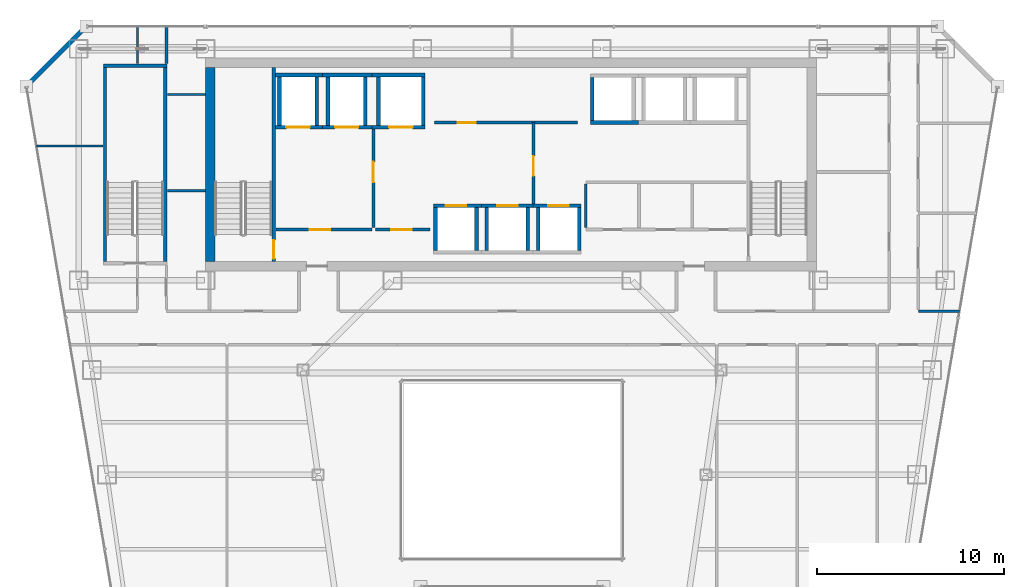
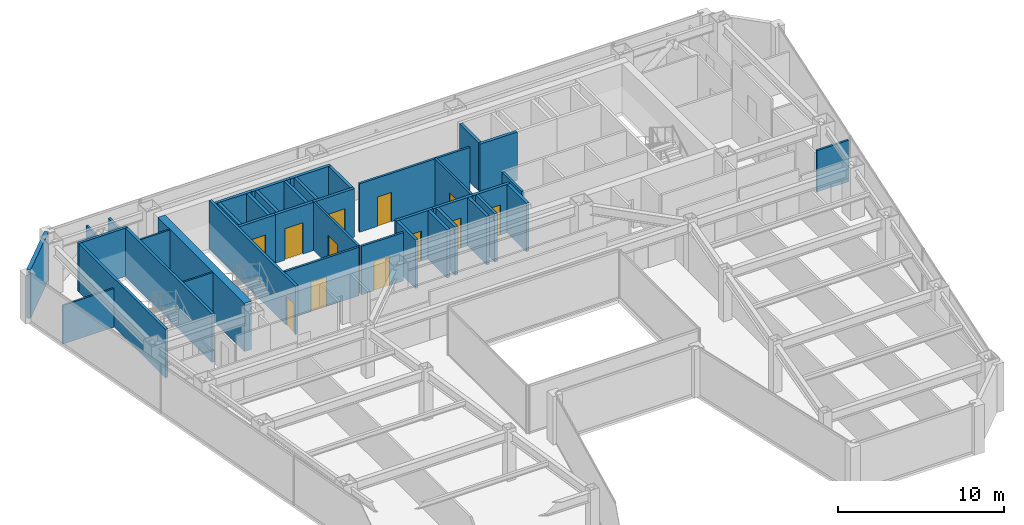
# One storey, part 31 of 36: 41 walls, 12 doors, 12 openings.
"""IFC4 building model written with IfcOpenShell, lengths in metres."""

from ifc_helpers import new_model, si_unit, direction, frame, frame_2d, origin, place, context, subcontext, project, spatial, rectangle, extrude, material, layer, layer_set, type_object, element, fill, save


model = new_model("IFC4")

# Units and contexts
model_context = context("Model", 3, precision=1e-05, world=origin(), true_north=direction((0.0, 1.0)))
body_context = subcontext(model_context, "Body", "Model", "MODEL_VIEW")
ifc_project = project(units=[si_unit("LENGTHUNIT", "METRE"), si_unit("AREAUNIT", "SQUARE_METRE"), si_unit("VOLUMEUNIT", "CUBIC_METRE"), si_unit("PLANEANGLEUNIT", "RADIAN"), si_unit("MASSUNIT", "GRAM", prefix="KILO")], contexts=[model_context])

# Site, building, storey
site_placement = place(None, origin())
site = spatial("IfcSite", under=ifc_project, at=site_placement, CompositionType="ELEMENT")
building_placement = place(site_placement, origin())
building = spatial("IfcBuilding", under=site, at=building_placement, Name="Saevonmaru Cultural Tower", CompositionType="ELEMENT")
storey_placement = place(building_placement, frame((0.0, 0.0, 171.39990234375)))
storey = spatial("IfcBuildingStorey", under=building, at=storey_placement, Name="L38", CompositionType="ELEMENT", Elevation=171.39990234375)

# Wall
ifc_material_1 = material(Name="Concrete C60/75", Category="concrete")
ifc_layer_1 = layer(ifc_material_1, 0.5, Name="Concrete C60/75")
ifc_layer_set_1 = layer_set([ifc_layer_1], Name="Concrete C60/75")
wall_type_1 = type_object("IfcWallType", Name="WL-CORE-500", PredefinedType="SHEAR", material=ifc_layer_set_1)
wall_1_placement = place(storey_placement, frame((13.85009765625, 43.39990234375, 0.0), z_axis=(0.0, 0.0, 1.0), x_axis=(0.0, 1.0, 0.0)))
element("IfcWall", 1, at=wall_1_placement, inside=storey, type_object=wall_type_1, Name="L38 Tower RC core shear wall W", PredefinedType="SHEAR", context=body_context, shape_type="SweptSolid", body=[
    extrude(rectangle(XDim=10.400146484375, YDim=0.5, at=frame_2d((5.2001953125, 0.0))), origin(), (0.0, 0.0, 1.0), 3.550048828125),
])

# Wall, opening, door
ifc_material_2 = material(Name="Gypsum Fireboard Partition", Category="gypsum")
ifc_layer_2 = layer(ifc_material_2, 0.14990234375, Name="Gypsum Fireboard Partition")
ifc_layer_set_2 = layer_set([ifc_layer_2], Name="Gypsum Fireboard Partition")
wall_type_2 = type_object("IfcWallType", Name="WL-CORE-PART-150", PredefinedType="PARTITIONING", material=ifc_layer_set_2)
wall_2_placement = place(storey_placement, frame((17.360107421875, 45.1201171875, 0.0), z_axis=(0.0, 0.0, 1.0), x_axis=(1.0, 0.0, 0.0)))
wall_2 = element("IfcWall", 2, at=wall_2_placement, inside=storey, type_object=wall_type_2, Name="L38 Firefighting Lift Lobby South Wall", PredefinedType="PARTITIONING", context=body_context, shape_type="SweptSolid", body=[
    extrude(rectangle(XDim=5.139892578125, YDim=0.14990234375, at=frame_2d((2.56982421875, 0.0))), origin(), (0.0, 0.0, 1.0), 3.550048828125),
])
opening_1_placement = place(wall_2_placement, frame((1.800048828125, 0.0, 0.0)))
opening_1 = element("IfcOpeningElement", 3, at=opening_1_placement, cuts=wall_2, Name="Opening FD-2", PredefinedType="OPENING", context=body_context, shape_type="SweptSolid", body=[
    extrude(rectangle(XDim=1.10009765625, YDim=2.14990234375, at=frame_2d((0.550048828125, 1.074951171875))), frame((0.0, 0.0849609375, 0.0), z_axis=(0.0, -1.0, 0.0), x_axis=(1.0, 0.0, 0.0)), (0.0, 0.0, 1.0), 0.169921875),
])
ifc_material_3 = material(Name="Satin Bronze Anodised Aluminium", Category="aluminium")
door_type_1 = type_object("IfcDoorType", Name="DR-FD60-1100", OperationType="SINGLE_SWING_LEFT", PredefinedType="DOOR", material=ifc_material_3)
door_1_placement = place(opening_1_placement, origin())
door_1 = element("IfcDoor", 4, at=door_1_placement, inside=storey, type_object=door_type_1, Name="L38 Firefighting Lift Lobby South Door", OperationType="SINGLE_SWING_LEFT", OverallHeight=2.14990234375, OverallWidth=1.10009765625, PredefinedType="DOOR", context=body_context, shape_type="SweptSolid", body=[
    extrude(rectangle(XDim=1.10009765625, YDim=2.14990234375, at=frame_2d((0.550048828125, 1.074951171875))), frame((0.0, 0.02490234375, 0.0), z_axis=(0.0, -1.0, 0.0), x_axis=(1.0, 0.0, 0.0)), (0.0, 0.0, 1.0), 0.050048828125),
])
fill(opening_1, door_1)

wall_3_placement = place(storey_placement, frame((22.580078125, 50.550048828125, 0.0), z_axis=(0.0, 0.0, 1.0), x_axis=(0.0, -1.0, 0.0)))
wall_3 = element("IfcWall", 5, at=wall_3_placement, inside=storey, type_object=wall_type_2, Name="L38 Firefighting Lift Lobby East Wall", PredefinedType="PARTITIONING", context=body_context, shape_type="SweptSolid", body=[
    extrude(rectangle(XDim=5.330078125, YDim=0.14990234375, at=frame_2d((2.6650390625, 0.0))), origin(), (0.0, 0.0, 1.0), 3.550048828125),
])
opening_2_placement = place(wall_3_placement, frame((1.800048828125, 0.0, 0.0)))
opening_2 = element("IfcOpeningElement", 6, at=opening_2_placement, cuts=wall_3, Name="Opening FD-2", PredefinedType="OPENING", context=body_context, shape_type="SweptSolid", body=[
    extrude(rectangle(XDim=1.10009765625, YDim=2.14990234375, at=frame_2d((0.550048828125, 1.074951171875))), frame((0.0, 0.0849609375, 0.0), z_axis=(0.0, -1.0, 0.0), x_axis=(1.0, 0.0, 0.0)), (0.0, 0.0, 1.0), 0.169921875),
])
door_2_placement = place(opening_2_placement, origin())
door_2 = element("IfcDoor", 7, at=door_2_placement, inside=storey, type_object=door_type_1, Name="L38 Firefighting Lift Lobby East Door", OperationType="SINGLE_SWING_LEFT", OverallHeight=2.14990234375, OverallWidth=1.10009765625, PredefinedType="DOOR", context=body_context, shape_type="SweptSolid", body=[
    extrude(rectangle(XDim=1.10009765625, YDim=2.14990234375, at=frame_2d((0.550048828125, 1.074951171875))), frame((0.0, 0.02490234375, 0.0), z_axis=(0.0, -1.0, 0.0), x_axis=(1.0, 0.0, 0.0)), (0.0, 0.0, 1.0), 0.050048828125),
])
fill(opening_2, door_2)

wall_4_placement = place(storey_placement, frame((22.679931640625, 45.1201171875, 0.0), z_axis=(0.0, 0.0, 1.0), x_axis=(1.0, 0.0, 0.0)))
wall_4 = element("IfcWall", 8, at=wall_4_placement, inside=storey, type_object=wall_type_2, Name="L38 Service Lift Vestibule Wall", PredefinedType="PARTITIONING", context=body_context, shape_type="SweptSolid", body=[
    extrude(rectangle(XDim=2.920166015625, YDim=0.14990234375, at=frame_2d((1.4599609375, 0.0))), origin(), (0.0, 0.0, 1.0), 3.550048828125),
])
opening_3_placement = place(wall_4_placement, frame((0.85009765625, 0.0, 0.0)))
opening_3 = element("IfcOpeningElement", 9, at=opening_3_placement, cuts=wall_4, Name="Opening FD-2", PredefinedType="OPENING", context=body_context, shape_type="SweptSolid", body=[
    extrude(rectangle(XDim=1.10009765625, YDim=2.14990234375, at=frame_2d((0.550048828125, 1.074951171875))), frame((0.0, 0.0849609375, 0.0), z_axis=(0.0, -1.0, 0.0), x_axis=(1.0, 0.0, 0.0)), (0.0, 0.0, 1.0), 0.169921875),
])
door_3_placement = place(opening_3_placement, origin())
door_3 = element("IfcDoor", 10, at=door_3_placement, inside=storey, type_object=door_type_1, Name="L38 Service Lift Vestibule Door", OperationType="SINGLE_SWING_LEFT", OverallHeight=2.14990234375, OverallWidth=1.10009765625, PredefinedType="DOOR", context=body_context, shape_type="SweptSolid", body=[
    extrude(rectangle(XDim=1.10009765625, YDim=2.14990234375, at=frame_2d((0.550048828125, 1.074951171875))), frame((0.0, 0.02490234375, 0.0), z_axis=(0.0, -1.0, 0.0), x_axis=(1.0, 0.0, 0.0)), (0.0, 0.0, 1.0), 0.050048828125),
])
fill(opening_3, door_3)

wall_5_placement = place(storey_placement, frame((31.14990234375, 46.5, 0.0), z_axis=(0.0, 0.0, 1.0), x_axis=(0.0, 1.0, 0.0)))
wall_5 = element("IfcWall", 11, at=wall_5_placement, inside=storey, type_object=wall_type_2, Name="L38 Lift Zone Baffle 1", PredefinedType="PARTITIONING", context=body_context, shape_type="SweptSolid", body=[
    extrude(rectangle(XDim=4.35009765625, YDim=0.14990234375, at=frame_2d((2.175048828125, 0.0))), origin(), (0.0, 0.0, 1.0), 3.550048828125),
])
opening_4_placement = place(wall_5_placement, frame((1.5, 0.0, 0.0)))
opening_4 = element("IfcOpeningElement", 12, at=opening_4_placement, cuts=wall_5, Name="Opening ID-1", PredefinedType="OPENING", context=body_context, shape_type="SweptSolid", body=[
    extrude(rectangle(XDim=1.050048828125, YDim=2.14990234375, at=frame_2d((0.52490234375, 1.074951171875))), frame((0.0, 0.0849609375, 0.0), z_axis=(0.0, -1.0, 0.0), x_axis=(1.0, 0.0, 0.0)), (0.0, 0.0, 1.0), 0.169921875),
])
door_type_2 = type_object("IfcDoorType", Name="DR-INT-1050", OperationType="SINGLE_SWING_LEFT", PredefinedType="DOOR", material=ifc_material_3)
door_4_placement = place(opening_4_placement, origin())
door_4 = element("IfcDoor", 13, at=door_4_placement, inside=storey, type_object=door_type_2, Name="L38 West-Mid Lobby Portal", OperationType="SINGLE_SWING_LEFT", OverallHeight=2.14990234375, OverallWidth=1.050048828125, PredefinedType="DOOR", context=body_context, shape_type="SweptSolid", body=[
    extrude(rectangle(XDim=1.050048828125, YDim=2.14990234375, at=frame_2d((0.52490234375, 1.074951171875))), frame((0.0, 0.02490234375, 0.0), z_axis=(0.0, -1.0, 0.0), x_axis=(1.0, 0.0, 0.0)), (0.0, 0.0, 1.0), 0.050048828125),
])
fill(opening_4, door_4)

# Wall
wall_6_placement = place(storey_placement, frame((33.949951171875, 45.219970703125, 0.0), z_axis=(0.0, 0.0, 1.0), x_axis=(0.0, 1.0, 0.0)))
element("IfcWall", 14, at=wall_6_placement, inside=storey, type_object=wall_type_2, Name="L38 Core Utility West Wall", PredefinedType="PARTITIONING", context=body_context, shape_type="SweptSolid", body=[
    extrude(rectangle(XDim=2.330078125, YDim=0.14990234375, at=frame_2d((1.1650390625, 0.0))), origin(), (0.0, 0.0, 1.0), 3.550048828125),
])

# Wall, opening, door
wall_7_placement = place(storey_placement, frame((25.85009765625, 50.85009765625, 0.0), z_axis=(0.0, 0.0, 1.0), x_axis=(1.0, 0.0, 0.0)))
wall_7 = element("IfcWall", 15, at=wall_7_placement, inside=storey, type_object=wall_type_2, Name="L38 Reclaimed Core Room South Wall", PredefinedType="PARTITIONING", context=body_context, shape_type="SweptSolid", body=[
    extrude(rectangle(XDim=7.64990234375, YDim=0.14990234375, at=frame_2d((3.824951171875, 0.0))), origin(), (0.0, 0.0, 1.0), 3.550048828125),
])
opening_5_placement = place(wall_7_placement, frame((1.25, 0.0, 0.0)))
opening_5 = element("IfcOpeningElement", 16, at=opening_5_placement, cuts=wall_7, Name="Opening FD-4", PredefinedType="OPENING", context=body_context, shape_type="SweptSolid", body=[
    extrude(rectangle(XDim=0.949951171875, YDim=2.14990234375, at=frame_2d((0.47509765625, 1.074951171875))), frame((0.0, 0.0849609375, 0.0), z_axis=(0.0, -1.0, 0.0), x_axis=(1.0, 0.0, 0.0)), (0.0, 0.0, 1.0), 0.169921875),
])
door_type_3 = type_object("IfcDoorType", Name="DR-FD60-950", OperationType="SINGLE_SWING_LEFT", PredefinedType="DOOR", material=ifc_material_3)
door_5_placement = place(opening_5_placement, origin())
door_5 = element("IfcDoor", 17, at=door_5_placement, inside=storey, type_object=door_type_3, Name="L38 Reclaimed Archive Vault Door", OperationType="SINGLE_SWING_LEFT", OverallHeight=2.14990234375, OverallWidth=0.949951171875, PredefinedType="DOOR", context=body_context, shape_type="SweptSolid", body=[
    extrude(rectangle(XDim=0.949951171875, YDim=2.14990234375, at=frame_2d((0.47509765625, 1.074951171875))), frame((0.0, 0.02490234375, 0.0), z_axis=(0.0, -1.0, 0.0), x_axis=(1.0, 0.0, 0.0)), (0.0, 0.0, 1.0), 0.050048828125),
])
fill(opening_5, door_5)

# Walls
ifc_material_4 = material(Name="Granite-Clad Precast Concrete C40/50", Category="masonry")
ifc_layer_3 = layer(ifc_material_4, 0.260009765625, Name="Granite-Clad Precast Concrete C40/50")
ifc_layer_set_3 = layer_set([ifc_layer_3], Name="Granite-Clad Precast Concrete C40/50")
wall_type_3 = type_object("IfcWallType", Name="WL-EXT-SPANDREL-260", PredefinedType="STANDARD", material=ifc_layer_set_3)
wall_8_placement = place(storey_placement, frame((7.0869140625, 55.886962890625, 0.0), z_axis=(0.0, 0.0, 1.0), x_axis=(-0.707106781187, -0.707106781187, 0.0)))
element("IfcWall", 18, at=wall_8_placement, inside=storey, type_object=wall_type_3, Name="L38 Chamfer Corner Spandrel Wall E11", PredefinedType="STANDARD", context=body_context, shape_type="SweptSolid", body=[
    extrude(rectangle(XDim=4.205810546875, YDim=0.260009765625, at=frame_2d((2.10302734375, 0.0))), origin(), (0.0, 0.0, 1.0), 3.550048828125),
])
ifc_layer_4 = layer(ifc_material_2, 0.14990234375, Name="Gypsum Fireboard Partition")
ifc_layer_set_4 = layer_set([ifc_layer_4], Name="Gypsum Fireboard Partition")
wall_type_4 = type_object("IfcWallType", Name="WL-PART-FIRE-150", PredefinedType="PARTITIONING", material=ifc_layer_set_4)
wall_9_placement = place(storey_placement, frame((11.5, 54.0, 0.0), z_axis=(0.0, 0.0, 1.0), x_axis=(0.0, 1.0, 0.0)))
element("IfcWall", 19, at=wall_9_placement, inside=storey, type_object=wall_type_4, Name="L38 Media Screening Auditorium Corridor Wall", PredefinedType="PARTITIONING", context=body_context, shape_type="SweptSolid", body=[
    extrude(rectangle(XDim=1.9951171875, YDim=0.14990234375, at=frame_2d((0.99755859375, 0.0))), origin(), (0.0, 0.0, 1.0), 2.93505859375),
])
ifc_layer_5 = layer(ifc_material_2, 0.1201171875, Name="Gypsum Fireboard Partition")
ifc_layer_set_5 = layer_set([ifc_layer_5], Name="Gypsum Fireboard Partition")
wall_type_5 = type_object("IfcWallType", Name="WL-PART-GYP-120", PredefinedType="PARTITIONING", material=ifc_layer_set_5)
wall_10_placement = place(storey_placement, frame((11.550048828125, 52.35009765625, 0.0), z_axis=(0.0, 0.0, 1.0), x_axis=(1.0, 0.0, 0.0)))
element("IfcWall", 20, at=wall_10_placement, inside=storey, type_object=wall_type_5, Name="L38 North-West Panorama South Wall", PredefinedType="PARTITIONING", context=body_context, shape_type="SweptSolid", body=[
    extrude(rectangle(XDim=2.030029296875, YDim=0.1201171875, at=frame_2d((1.01513671875, 0.0))), origin(), (0.0, 0.0, 1.0), 3.550048828125),
])
wall_11_placement = place(storey_placement, frame((4.546875, 49.60009765625, 0.0), z_axis=(0.0, 0.0, 1.0), x_axis=(1.0, 0.0, 0.0)))
element("IfcWall", 21, at=wall_11_placement, inside=storey, type_object=wall_type_5, Name="L38 NW Studio Divider 1", PredefinedType="PARTITIONING", context=body_context, shape_type="SweptSolid", body=[
    extrude(rectangle(XDim=3.55322265625, YDim=0.1201171875, at=frame_2d((1.776611328125, 0.0))), origin(), (0.0, 0.0, 1.0), 2.835205078125),
])
wall_12_placement = place(storey_placement, frame((9.949951171875, 54.0, 0.0), z_axis=(0.0, 0.0, 1.0), x_axis=(0.0, 1.0, 0.0)))
element("IfcWall", 22, at=wall_12_placement, inside=storey, type_object=wall_type_5, Name="L38 Design Seminar Classroom Corridor Wall", PredefinedType="PARTITIONING", context=body_context, shape_type="SweptSolid", body=[
    extrude(rectangle(XDim=1.9951171875, YDim=0.1201171875, at=frame_2d((0.99755859375, 0.0))), origin(), (0.0, 0.0, 1.0), 2.93505859375),
])
wall_13_placement = place(storey_placement, frame((11.550048828125, 47.199951171875, 0.0), z_axis=(0.0, 0.0, 1.0), x_axis=(1.0, 0.0, 0.0)))
element("IfcWall", 23, at=wall_13_placement, inside=storey, type_object=wall_type_5, Name="L38 NW Inner Divider", PredefinedType="PARTITIONING", context=body_context, shape_type="SweptSolid", body=[
    extrude(rectangle(XDim=2.030029296875, YDim=0.1201171875, at=frame_2d((1.01513671875, 0.0))), origin(), (0.0, 0.0, 1.0), 3.550048828125),
])
ifc_layer_6 = layer(ifc_material_2, 0.135009765625, Name="Gypsum Fireboard Partition")
ifc_layer_set_6 = layer_set([ifc_layer_6], Name="Gypsum Fireboard Partition")
wall_type_6 = type_object("IfcWallType", Name="WL-PART-GYP-135", PredefinedType="PARTITIONING", material=ifc_layer_set_6)
wall_14_placement = place(storey_placement, frame((51.75, 40.75, 0.0), z_axis=(0.0, 0.0, 1.0), x_axis=(1.0, 0.0, 0.0)))
element("IfcWall", 24, at=wall_14_placement, inside=storey, type_object=wall_type_6, Name="L38 NE Wing South Wall", PredefinedType="PARTITIONING", context=body_context, shape_type="SweptSolid", body=[
    extrude(rectangle(XDim=2.204833984375, YDim=0.135009765625, at=frame_2d((1.1025390625, 0.0))), origin(), (0.0, 0.0, 1.0), 3.03515625),
])

# Wall, opening, door
ifc_material_5 = material(Name="Concrete C40/50", Category="concrete")
ifc_layer_7 = layer(ifc_material_5, 0.199951171875, Name="Concrete C40/50")
ifc_layer_set_7 = layer_set([ifc_layer_7], Name="Concrete C40/50")
wall_type_7 = type_object("IfcWallType", Name="WL-SHAFT-200", PredefinedType="SHEAR", material=ifc_layer_set_7)
wall_15_placement = place(storey_placement, frame((17.330078125, 50.60009765625, 0.0), z_axis=(0.0, 0.0, 1.0), x_axis=(1.0, 0.0, 0.0)))
wall_15 = element("IfcWall", 25, at=wall_15_placement, inside=storey, type_object=wall_type_7, Name="L38 Lift FFL-1 Hoistway Wall S", PredefinedType="SHEAR", context=body_context, shape_type="SweptSolid", body=[
    extrude(rectangle(XDim=2.52001953125, YDim=0.199951171875, at=frame_2d((1.260009765625, 0.0))), origin(), (0.0, 0.0, 1.0), 3.550048828125),
])
opening_6_placement = place(wall_15_placement, frame((0.594970703125, 0.0, 0.0)))
opening_6 = element("IfcOpeningElement", 26, at=opening_6_placement, cuts=wall_15, Name="Opening LD-2", PredefinedType="OPENING", context=body_context, shape_type="SweptSolid", body=[
    extrude(rectangle(XDim=1.25, YDim=2.300048828125, at=frame_2d((0.625, 1.14990234375))), frame((0.0, 0.10986328125, 0.0), z_axis=(0.0, -1.0, 0.0), x_axis=(1.0, 0.0, 0.0)), (0.0, 0.0, 1.0), 0.219970703125),
])
ifc_material_6 = material(Name="Stainless Steel 316", Category="steel")
door_type_4 = type_object("IfcDoorType", Name="DR-LIFT-1250", OperationType="SLIDING_TO_LEFT", PredefinedType="DOOR", material=ifc_material_6)
door_6_placement = place(opening_6_placement, origin())
door_6 = element("IfcDoor", 27, at=door_6_placement, inside=storey, type_object=door_type_4, Name="L38 Lift FFL-1 Sliding Landing Door", OperationType="SLIDING_TO_LEFT", OverallHeight=2.300048828125, OverallWidth=1.25, PredefinedType="DOOR", context=body_context, shape_type="SweptSolid", body=[
    extrude(rectangle(XDim=1.25, YDim=2.300048828125, at=frame_2d((0.625, 1.14990234375))), frame((0.0, 0.02490234375, 0.0), z_axis=(0.0, -1.0, 0.0), x_axis=(1.0, 0.0, 0.0)), (0.0, 0.0, 1.0), 0.050048828125),
])
fill(opening_6, door_6)

# Walls
wall_16_placement = place(storey_placement, frame((17.330078125, 53.39990234375, 0.0), z_axis=(0.0, 0.0, 1.0), x_axis=(1.0, 0.0, 0.0)))
element("IfcWall", 28, at=wall_16_placement, inside=storey, type_object=wall_type_7, Name="L38 Lift FFL-1 Hoistway Wall N", PredefinedType="SHEAR", context=body_context, shape_type="SweptSolid", body=[
    extrude(rectangle(XDim=2.52001953125, YDim=0.199951171875, at=frame_2d((1.260009765625, 0.0))), origin(), (0.0, 0.0, 1.0), 3.550048828125),
])
for number, where, z_axis, x_axis, name in (
    (29, (17.550048828125, 50.699951171875, 0.0), (0.0, 0.0, 1.0), (0.0, 1.0, 0.0), "L38 Lift FFL-1 Hoistway Wall W"),
    (30, (19.550048828125, 50.699951171875, 0.0), (0.0, 0.0, 1.0), (0.0, 1.0, 0.0), "L38 Lift FFL-1 Hoistway Wall E"),
):
    element("IfcWall", number, at=place(storey_placement, frame(where, z_axis=z_axis, x_axis=x_axis)), inside=storey, type_object=wall_type_7, Name=name, PredefinedType="SHEAR", context=body_context, shape_type="SweptSolid", body=[
        extrude(rectangle(XDim=2.60009765625, YDim=0.199951171875, at=frame_2d((1.300048828125, 0.0))), origin(), (0.0, 0.0, 1.0), 3.550048828125),
    ])

# Wall, opening, door
wall_17_placement = place(storey_placement, frame((19.85009765625, 50.60009765625, 0.0), z_axis=(0.0, 0.0, 1.0), x_axis=(1.0, 0.0, 0.0)))
wall_17 = element("IfcWall", 31, at=wall_17_placement, inside=storey, type_object=wall_type_7, Name="L38 Lift FFL-2 Hoistway Wall S", PredefinedType="SHEAR", context=body_context, shape_type="SweptSolid", body=[
    extrude(rectangle(XDim=2.64990234375, YDim=0.199951171875, at=frame_2d((1.324951171875, 0.0))), origin(), (0.0, 0.0, 1.0), 3.550048828125),
])
opening_7_placement = place(wall_17_placement, frame((0.675048828125, 0.0, 0.0)))
opening_7 = element("IfcOpeningElement", 32, at=opening_7_placement, cuts=wall_17, Name="Opening LD-2", PredefinedType="OPENING", context=body_context, shape_type="SweptSolid", body=[
    extrude(rectangle(XDim=1.25, YDim=2.300048828125, at=frame_2d((0.625, 1.14990234375))), frame((0.0, 0.10986328125, 0.0), z_axis=(0.0, -1.0, 0.0), x_axis=(1.0, 0.0, 0.0)), (0.0, 0.0, 1.0), 0.219970703125),
])
door_7_placement = place(opening_7_placement, origin())
door_7 = element("IfcDoor", 33, at=door_7_placement, inside=storey, type_object=door_type_4, Name="L38 Lift FFL-2 Sliding Landing Door", OperationType="SLIDING_TO_LEFT", OverallHeight=2.300048828125, OverallWidth=1.25, PredefinedType="DOOR", context=body_context, shape_type="SweptSolid", body=[
    extrude(rectangle(XDim=1.25, YDim=2.300048828125, at=frame_2d((0.625, 1.14990234375))), frame((0.0, 0.02490234375, 0.0), z_axis=(0.0, -1.0, 0.0), x_axis=(1.0, 0.0, 0.0)), (0.0, 0.0, 1.0), 0.050048828125),
])
fill(opening_7, door_7)

# Walls
wall_18_placement = place(storey_placement, frame((19.85009765625, 53.39990234375, 0.0), z_axis=(0.0, 0.0, 1.0), x_axis=(1.0, 0.0, 0.0)))
element("IfcWall", 34, at=wall_18_placement, inside=storey, type_object=wall_type_7, Name="L38 Lift FFL-2 Hoistway Wall N", PredefinedType="SHEAR", context=body_context, shape_type="SweptSolid", body=[
    extrude(rectangle(XDim=2.64990234375, YDim=0.199951171875, at=frame_2d((1.324951171875, 0.0))), origin(), (0.0, 0.0, 1.0), 3.550048828125),
])
for number, where, z_axis, x_axis, name in (
    (35, (20.14990234375, 50.699951171875, 0.0), (0.0, 0.0, 1.0), (0.0, 1.0, 0.0), "L38 Lift FFL-2 Hoistway Wall W"),
    (36, (22.14990234375, 50.699951171875, 0.0), (0.0, 0.0, 1.0), (0.0, 1.0, 0.0), "L38 Lift FFL-2 Hoistway Wall E"),
):
    element("IfcWall", number, at=place(storey_placement, frame(where, z_axis=z_axis, x_axis=x_axis)), inside=storey, type_object=wall_type_7, Name=name, PredefinedType="SHEAR", context=body_context, shape_type="SweptSolid", body=[
        extrude(rectangle(XDim=2.60009765625, YDim=0.199951171875, at=frame_2d((1.300048828125, 0.0))), origin(), (0.0, 0.0, 1.0), 3.550048828125),
    ])

# Wall, opening, door
wall_19_placement = place(storey_placement, frame((22.5, 50.60009765625, 0.0), z_axis=(0.0, 0.0, 1.0), x_axis=(1.0, 0.0, 0.0)))
wall_19 = element("IfcWall", 37, at=wall_19_placement, inside=storey, type_object=wall_type_7, Name="L38 Lift GL-1 Hoistway Wall S", PredefinedType="SHEAR", context=body_context, shape_type="SweptSolid", body=[
    extrude(rectangle(XDim=2.85009765625, YDim=0.199951171875, at=frame_2d((1.425048828125, 0.0))), origin(), (0.0, 0.0, 1.0), 3.550048828125),
])
opening_8_placement = place(wall_19_placement, frame((0.925048828125, 0.0, 0.0)))
opening_8 = element("IfcOpeningElement", 38, at=opening_8_placement, cuts=wall_19, Name="Opening LD-2", PredefinedType="OPENING", context=body_context, shape_type="SweptSolid", body=[
    extrude(rectangle(XDim=1.25, YDim=2.300048828125, at=frame_2d((0.625, 1.14990234375))), frame((0.0, 0.10986328125, 0.0), z_axis=(0.0, -1.0, 0.0), x_axis=(1.0, 0.0, 0.0)), (0.0, 0.0, 1.0), 0.219970703125),
])
door_8_placement = place(opening_8_placement, origin())
door_8 = element("IfcDoor", 39, at=door_8_placement, inside=storey, type_object=door_type_4, Name="L38 Lift GL-1 Sliding Landing Door", OperationType="SLIDING_TO_LEFT", OverallHeight=2.300048828125, OverallWidth=1.25, PredefinedType="DOOR", context=body_context, shape_type="SweptSolid", body=[
    extrude(rectangle(XDim=1.25, YDim=2.300048828125, at=frame_2d((0.625, 1.14990234375))), frame((0.0, 0.02490234375, 0.0), z_axis=(0.0, -1.0, 0.0), x_axis=(1.0, 0.0, 0.0)), (0.0, 0.0, 1.0), 0.050048828125),
])
fill(opening_8, door_8)

# Walls
wall_20_placement = place(storey_placement, frame((22.5, 53.39990234375, 0.0), z_axis=(0.0, 0.0, 1.0), x_axis=(1.0, 0.0, 0.0)))
element("IfcWall", 40, at=wall_20_placement, inside=storey, type_object=wall_type_7, Name="L38 Lift GL-1 Hoistway Wall N", PredefinedType="SHEAR", context=body_context, shape_type="SweptSolid", body=[
    extrude(rectangle(XDim=2.85009765625, YDim=0.199951171875, at=frame_2d((1.425048828125, 0.0))), origin(), (0.0, 0.0, 1.0), 3.550048828125),
])
for number, where, z_axis, x_axis, name in (
    (41, (22.85009765625, 50.699951171875, 0.0), (0.0, 0.0, 1.0), (0.0, 1.0, 0.0), "L38 Lift GL-1 Hoistway Wall W"),
    (42, (25.25, 50.699951171875, 0.0), (0.0, 0.0, 1.0), (0.0, 1.0, 0.0), "L38 Lift GL-1 Hoistway Wall E"),
):
    element("IfcWall", number, at=place(storey_placement, frame(where, z_axis=z_axis, x_axis=x_axis)), inside=storey, type_object=wall_type_7, Name=name, PredefinedType="SHEAR", context=body_context, shape_type="SweptSolid", body=[
        extrude(rectangle(XDim=2.60009765625, YDim=0.199951171875, at=frame_2d((1.300048828125, 0.0))), origin(), (0.0, 0.0, 1.0), 3.550048828125),
    ])

# Wall, opening, door
wall_21_placement = place(storey_placement, frame((25.800048828125, 46.39990234375, 0.0), z_axis=(0.0, 0.0, 1.0), x_axis=(1.0, 0.0, 0.0)))
wall_21 = element("IfcWall", 43, at=wall_21_placement, inside=storey, type_object=wall_type_7, Name="L38 Lift PL-M1 Hoistway Wall N", PredefinedType="SHEAR", context=body_context, shape_type="SweptSolid", body=[
    extrude(rectangle(XDim=2.574951171875, YDim=0.199951171875, at=frame_2d((1.28759765625, 0.0))), origin(), (0.0, 0.0, 1.0), 3.550048828125),
])
opening_9_placement = place(wall_21_placement, frame((0.64990234375, 0.0, 0.0)))
opening_9 = element("IfcOpeningElement", 44, at=opening_9_placement, cuts=wall_21, Name="Opening LD-1", PredefinedType="OPENING", context=body_context, shape_type="SweptSolid", body=[
    extrude(rectangle(XDim=1.10009765625, YDim=2.199951171875, at=frame_2d((0.550048828125, 1.10009765625))), frame((0.0, 0.10986328125, 0.0), z_axis=(0.0, -1.0, 0.0), x_axis=(1.0, 0.0, 0.0)), (0.0, 0.0, 1.0), 0.219970703125),
])
ifc_material_7 = material(Name="Satin Bronze Stainless Steel", Category="steel")
door_type_5 = type_object("IfcDoorType", Name="DR-LIFT-1100", OperationType="SLIDING_TO_LEFT", PredefinedType="DOOR", material=ifc_material_7)
door_9_placement = place(opening_9_placement, origin())
door_9 = element("IfcDoor", 45, at=door_9_placement, inside=storey, type_object=door_type_5, Name="L38 Lift PL-M1 Sliding Landing Door", OperationType="SLIDING_TO_LEFT", OverallHeight=2.199951171875, OverallWidth=1.10009765625, PredefinedType="DOOR", context=body_context, shape_type="SweptSolid", body=[
    extrude(rectangle(XDim=1.10009765625, YDim=2.199951171875, at=frame_2d((0.550048828125, 1.10009765625))), frame((0.0, 0.02490234375, 0.0), z_axis=(0.0, -1.0, 0.0), x_axis=(1.0, 0.0, 0.0)), (0.0, 0.0, 1.0), 0.050048828125),
])
fill(opening_9, door_9)

# Walls
for number, where, z_axis, x_axis, name in (
    (46, (25.89990234375, 44.0, 0.0), (0.0, 0.0, 1.0), (0.0, 1.0, 0.0), "L38 Lift PL-M1 Hoistway Wall W"),
    (47, (28.10009765625, 44.0, 0.0), (0.0, 0.0, 1.0), (0.0, 1.0, 0.0), "L38 Lift PL-M1 Hoistway Wall E"),
):
    element("IfcWall", number, at=place(storey_placement, frame(where, z_axis=z_axis, x_axis=x_axis)), inside=storey, type_object=wall_type_7, Name=name, PredefinedType="SHEAR", context=body_context, shape_type="SweptSolid", body=[
        extrude(rectangle(XDim=2.300048828125, YDim=0.199951171875, at=frame_2d((1.14990234375, 0.0))), origin(), (0.0, 0.0, 1.0), 3.550048828125),
    ])

# Wall, opening, door
wall_22_placement = place(storey_placement, frame((28.375, 46.39990234375, 0.0), z_axis=(0.0, 0.0, 1.0), x_axis=(1.0, 0.0, 0.0)))
wall_22 = element("IfcWall", 48, at=wall_22_placement, inside=storey, type_object=wall_type_7, Name="L38 Lift PL-M2 Hoistway Wall N", PredefinedType="SHEAR", context=body_context, shape_type="SweptSolid", body=[
    extrude(rectangle(XDim=2.75, YDim=0.199951171875, at=frame_2d((1.375, 0.0))), origin(), (0.0, 0.0, 1.0), 3.550048828125),
])
opening_10_placement = place(wall_22_placement, frame((0.824951171875, 0.0, 0.0)))
opening_10 = element("IfcOpeningElement", 49, at=opening_10_placement, cuts=wall_22, Name="Opening LD-1", PredefinedType="OPENING", context=body_context, shape_type="SweptSolid", body=[
    extrude(rectangle(XDim=1.10009765625, YDim=2.199951171875, at=frame_2d((0.550048828125, 1.10009765625))), frame((0.0, 0.10986328125, 0.0), z_axis=(0.0, -1.0, 0.0), x_axis=(1.0, 0.0, 0.0)), (0.0, 0.0, 1.0), 0.219970703125),
])
door_10_placement = place(opening_10_placement, origin())
door_10 = element("IfcDoor", 50, at=door_10_placement, inside=storey, type_object=door_type_5, Name="L38 Lift PL-M2 Sliding Landing Door", OperationType="SLIDING_TO_LEFT", OverallHeight=2.199951171875, OverallWidth=1.10009765625, PredefinedType="DOOR", context=body_context, shape_type="SweptSolid", body=[
    extrude(rectangle(XDim=1.10009765625, YDim=2.199951171875, at=frame_2d((0.550048828125, 1.10009765625))), frame((0.0, 0.02490234375, 0.0), z_axis=(0.0, -1.0, 0.0), x_axis=(1.0, 0.0, 0.0)), (0.0, 0.0, 1.0), 0.050048828125),
])
fill(opening_10, door_10)

# Walls
for number, where, z_axis, x_axis, name in (
    (51, (28.64990234375, 44.0, 0.0), (0.0, 0.0, 1.0), (0.0, 1.0, 0.0), "L38 Lift PL-M2 Hoistway Wall W"),
    (52, (30.85009765625, 44.0, 0.0), (0.0, 0.0, 1.0), (0.0, 1.0, 0.0), "L38 Lift PL-M2 Hoistway Wall E"),
):
    element("IfcWall", number, at=place(storey_placement, frame(where, z_axis=z_axis, x_axis=x_axis)), inside=storey, type_object=wall_type_7, Name=name, PredefinedType="SHEAR", context=body_context, shape_type="SweptSolid", body=[
        extrude(rectangle(XDim=2.300048828125, YDim=0.199951171875, at=frame_2d((1.14990234375, 0.0))), origin(), (0.0, 0.0, 1.0), 3.550048828125),
    ])

# Wall, opening, door
wall_23_placement = place(storey_placement, frame((31.125, 46.39990234375, 0.0), z_axis=(0.0, 0.0, 1.0), x_axis=(1.0, 0.0, 0.0)))
wall_23 = element("IfcWall", 53, at=wall_23_placement, inside=storey, type_object=wall_type_7, Name="L38 Lift PL-M3 Hoistway Wall N", PredefinedType="SHEAR", context=body_context, shape_type="SweptSolid", body=[
    extrude(rectangle(XDim=2.574951171875, YDim=0.199951171875, at=frame_2d((1.28759765625, 0.0))), origin(), (0.0, 0.0, 1.0), 3.550048828125),
])
opening_11_placement = place(wall_23_placement, frame((0.824951171875, 0.0, 0.0)))
opening_11 = element("IfcOpeningElement", 54, at=opening_11_placement, cuts=wall_23, Name="Opening LD-1", PredefinedType="OPENING", context=body_context, shape_type="SweptSolid", body=[
    extrude(rectangle(XDim=1.10009765625, YDim=2.199951171875, at=frame_2d((0.550048828125, 1.10009765625))), frame((0.0, 0.10986328125, 0.0), z_axis=(0.0, -1.0, 0.0), x_axis=(1.0, 0.0, 0.0)), (0.0, 0.0, 1.0), 0.219970703125),
])
door_11_placement = place(opening_11_placement, origin())
door_11 = element("IfcDoor", 55, at=door_11_placement, inside=storey, type_object=door_type_5, Name="L38 Lift PL-M3 Sliding Landing Door", OperationType="SLIDING_TO_LEFT", OverallHeight=2.199951171875, OverallWidth=1.10009765625, PredefinedType="DOOR", context=body_context, shape_type="SweptSolid", body=[
    extrude(rectangle(XDim=1.10009765625, YDim=2.199951171875, at=frame_2d((0.550048828125, 1.10009765625))), frame((0.0, 0.02490234375, 0.0), z_axis=(0.0, -1.0, 0.0), x_axis=(1.0, 0.0, 0.0)), (0.0, 0.0, 1.0), 0.050048828125),
])
fill(opening_11, door_11)

# Walls
for number, where, z_axis, x_axis, name in (
    (56, (31.39990234375, 44.0, 0.0), (0.0, 0.0, 1.0), (0.0, 1.0, 0.0), "L38 Lift PL-M3 Hoistway Wall W"),
    (57, (33.60009765625, 44.0, 0.0), (0.0, 0.0, 1.0), (0.0, 1.0, 0.0), "L38 Lift PL-M3 Hoistway Wall E"),
):
    element("IfcWall", number, at=place(storey_placement, frame(where, z_axis=z_axis, x_axis=x_axis)), inside=storey, type_object=wall_type_7, Name=name, PredefinedType="SHEAR", context=body_context, shape_type="SweptSolid", body=[
        extrude(rectangle(XDim=2.300048828125, YDim=0.199951171875, at=frame_2d((1.14990234375, 0.0))), origin(), (0.0, 0.0, 1.0), 3.550048828125),
    ])
wall_24_placement = place(storey_placement, frame((34.199951171875, 50.85009765625, 0.0), z_axis=(0.0, 0.0, 1.0), x_axis=(1.0, 0.0, 0.0)))
element("IfcWall", 58, at=wall_24_placement, inside=storey, type_object=wall_type_7, Name="L38 Lift PL-H1 Hoistway Wall S", PredefinedType="SHEAR", context=body_context, shape_type="SweptSolid", body=[
    extrude(rectangle(XDim=2.574951171875, YDim=0.199951171875, at=frame_2d((1.28759765625, 0.0))), origin(), (0.0, 0.0, 1.0), 3.550048828125),
])
wall_25_placement = place(storey_placement, frame((34.300048828125, 50.949951171875, 0.0), z_axis=(0.0, 0.0, 1.0), x_axis=(0.0, 1.0, 0.0)))
element("IfcWall", 59, at=wall_25_placement, inside=storey, type_object=wall_type_7, Name="L38 Lift PL-H1 Hoistway Wall W", PredefinedType="SHEAR", context=body_context, shape_type="SweptSolid", body=[
    extrude(rectangle(XDim=2.300048828125, YDim=0.199951171875, at=frame_2d((1.14990234375, 0.0))), origin(), (0.0, 0.0, 1.0), 3.550048828125),
])

# Wall, opening, door
ifc_layer_8 = layer(ifc_material_5, 0.179931640625, Name="Concrete C40/50")
ifc_layer_set_8 = layer_set([ifc_layer_8], Name="Concrete C40/50")
wall_type_8 = type_object("IfcWallType", Name="WL-STSHAFT-180", PredefinedType="SHEAR", material=ifc_layer_set_8)
wall_26_placement = place(storey_placement, frame((17.239990234375, 43.39990234375, 0.0), z_axis=(0.0, 0.0, 1.0), x_axis=(0.0, 1.0, 0.0)))
wall_26 = element("IfcWall", 60, at=wall_26_placement, inside=storey, type_object=wall_type_8, Name="L38 Stair ST-1 Structural Shaft Wall 1", PredefinedType="SHEAR", context=body_context, shape_type="SweptSolid", body=[
    extrude(rectangle(XDim=10.400146484375, YDim=0.179931640625, at=frame_2d((5.2001953125, 0.0))), origin(), (0.0, 0.0, 1.0), 3.550048828125),
])
opening_12_placement = place(wall_26_placement, frame((0.159912109375, 0.0, 0.0)))
opening_12 = element("IfcOpeningElement", 61, at=opening_12_placement, cuts=wall_26, Name="Opening FD-3", PredefinedType="OPENING", context=body_context, shape_type="SweptSolid", body=[
    extrude(rectangle(XDim=1.0, YDim=2.14990234375, at=frame_2d((0.5, 1.074951171875))), frame((0.0, 0.10009765625, 0.0), z_axis=(0.0, -1.0, 0.0), x_axis=(1.0, 0.0, 0.0)), (0.0, 0.0, 1.0), 0.199951171875),
])
door_type_6 = type_object("IfcDoorType", Name="DR-FD60-1000", OperationType="SINGLE_SWING_RIGHT", PredefinedType="DOOR", material=ifc_material_3)
door_12_placement = place(opening_12_placement, origin())
door_12 = element("IfcDoor", 62, at=door_12_placement, inside=storey, type_object=door_type_6, Name="L38 Protected Stair ST-1 Fire Door", OperationType="SINGLE_SWING_RIGHT", OverallHeight=2.14990234375, OverallWidth=1.0, PredefinedType="DOOR", context=body_context, shape_type="SweptSolid", body=[
    extrude(rectangle(XDim=1.0, YDim=2.14990234375, at=frame_2d((0.5, 1.074951171875))), frame((0.0, 0.02490234375, 0.0), z_axis=(0.0, -1.0, 0.0), x_axis=(1.0, 0.0, 0.0)), (0.0, 0.0, 1.0), 0.050048828125),
])
fill(opening_12, door_12)

# Walls
wall_27_placement = place(storey_placement, frame((11.43994140625, 43.39990234375, 0.0), z_axis=(0.0, 0.0, 1.0), x_axis=(0.0, 1.0, 0.0)))
element("IfcWall", 63, at=wall_27_placement, inside=storey, type_object=wall_type_8, Name="L38 Stair ST-3 Structural Shaft Wall 2", PredefinedType="SHEAR", context=body_context, shape_type="SweptSolid", body=[
    extrude(rectangle(XDim=10.400146484375, YDim=0.179931640625, at=frame_2d((5.2001953125, 0.0))), origin(), (0.0, 0.0, 1.0), 3.550048828125),
])
wall_28_placement = place(storey_placement, frame((11.530029296875, 53.889892578125, 0.0), z_axis=(0.0, 0.0, 1.0), x_axis=(-1.0, 0.0, 0.0)))
element("IfcWall", 64, at=wall_28_placement, inside=storey, type_object=wall_type_8, Name="L38 Stair ST-3 Structural Shaft Wall 3", PredefinedType="SHEAR", context=body_context, shape_type="SweptSolid", body=[
    extrude(rectangle(XDim=3.409912109375, YDim=0.179931640625, at=frame_2d((1.705078125, 0.0))), origin(), (0.0, 0.0, 1.0), 3.550048828125),
])
wall_29_placement = place(storey_placement, frame((8.2099609375, 53.800048828125, 0.0), z_axis=(0.0, 0.0, 1.0), x_axis=(0.0, -1.0, 0.0)))
element("IfcWall", 65, at=wall_29_placement, inside=storey, type_object=wall_type_8, Name="L38 Stair ST-3 Structural Shaft Wall 4", PredefinedType="SHEAR", context=body_context, shape_type="SweptSolid", body=[
    extrude(rectangle(XDim=10.400146484375, YDim=0.179931640625, at=frame_2d((5.2001953125, 0.0))), origin(), (0.0, 0.0, 1.0), 3.550048828125),
])

save(model, "model.ifc")
